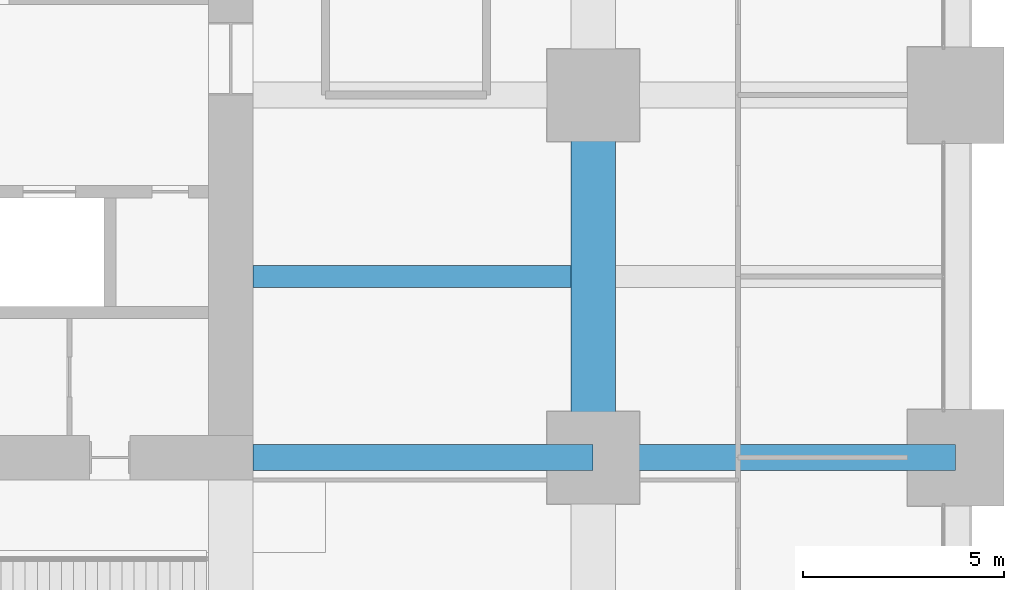
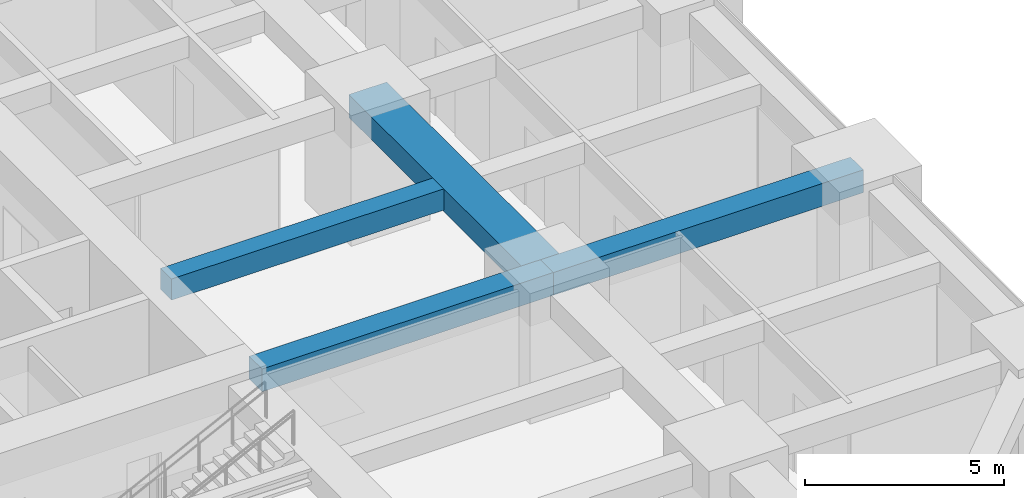
# One storey, part 19 of 45: 4 beams.
"""IFC4 building model written with IfcOpenShell, lengths in metres."""

from ifc_helpers import new_model, si_unit, direction, frame, origin, origin_2d, place, context, subcontext, project, spatial, rectangle, extrude, material, material_profile, profile_set, type_object, element, save


model = new_model("IFC4")

# Units and contexts
model_context = context("Model", 3, precision=1e-05, world=origin(), true_north=direction((0.0, 1.0)))
body_context = subcontext(model_context, "Body", "Model", "MODEL_VIEW")
ifc_project = project(units=[si_unit("LENGTHUNIT", "METRE"), si_unit("AREAUNIT", "SQUARE_METRE"), si_unit("VOLUMEUNIT", "CUBIC_METRE"), si_unit("PLANEANGLEUNIT", "RADIAN"), si_unit("MASSUNIT", "GRAM", prefix="KILO")], contexts=[model_context])

# Site, building, storey
site_placement = place(None, origin())
site = spatial("IfcSite", under=ifc_project, at=site_placement, CompositionType="ELEMENT")
building_placement = place(site_placement, origin())
building = spatial("IfcBuilding", under=site, at=building_placement, Name="Zorevar Civic Tower", CompositionType="ELEMENT")
storey_placement = place(building_placement, frame((0.0, 0.0, 23.800048828125)))
storey = spatial("IfcBuildingStorey", under=building, at=storey_placement, Name="L05", CompositionType="ELEMENT", Elevation=23.800048828125)

# Beams
ifc_material_1 = material(Name="Concrete C50/60", Category="concrete")
ifc_material_profile_1 = material_profile(ifc_material_1, rectangle(XDim=1.10009765625, YDim=0.699951171875, at=origin_2d()), Name="RC 1100x700")
ifc_profile_set_1 = profile_set([ifc_material_profile_1], Name="Concrete C50/60")
beam_type_1 = type_object("IfcBeamType", Name="Beam RC 1100x700", PredefinedType="BEAM", material=ifc_profile_set_1)
beam_1_placement = place(storey_placement, frame((54.0, 18.0, 3.39990234375), z_axis=(0.0, 1.0, 0.0), x_axis=(-1.0, 0.0, 0.0)))
element("IfcBeam", 1, at=beam_1_placement, inside=storey, type_object=beam_type_1, Name="Girder L06", PredefinedType="BEAM", context=body_context, shape_type="SweptSolid", body=[
    extrude(rectangle(XDim=1.10009765625, YDim=0.699951171875, at=origin_2d()), origin(), (0.0, 0.0, 1.0), 9.0),
])
ifc_material_2 = material(Name="Concrete C50/60", Category="concrete")
ifc_material_profile_2 = material_profile(ifc_material_2, rectangle(XDim=0.550048828125, YDim=0.64990234375, at=origin_2d()), Name="RC 550x650")
ifc_profile_set_2 = profile_set([ifc_material_profile_2], Name="Concrete C50/60")
beam_type_2 = type_object("IfcBeamType", Name="Beam RC 550x650", PredefinedType="BEAM", material=ifc_profile_set_2)
beam_2_placement = place(storey_placement, frame((45.550048828125, 22.5, 3.425048828125), z_axis=(1.0, 0.0, 0.0), x_axis=(0.0, 1.0, 0.0)))
element("IfcBeam", 2, at=beam_2_placement, inside=storey, type_object=beam_type_2, Name="Secondary beam L06", PredefinedType="BEAM", context=body_context, shape_type="SweptSolid", body=[
    extrude(rectangle(XDim=0.550048828125, YDim=0.64990234375, at=origin_2d()), origin(), (0.0, 0.0, 1.0), 7.89990234375),
])
ifc_material_3 = material(Name="Concrete C50/60", Category="concrete")
ifc_material_profile_3 = material_profile(ifc_material_3, rectangle(XDim=0.64990234375, YDim=0.699951171875, at=origin_2d()), Name="RC 650x700")
ifc_profile_set_3 = profile_set([ifc_material_profile_3], Name="Concrete C50/60")
beam_type_3 = type_object("IfcBeamType", Name="Beam RC 650x700", PredefinedType="BEAM", material=ifc_profile_set_3)
beam_3_placement = place(storey_placement, frame((45.550048828125, 18.0, 3.39990234375), z_axis=(1.0, 0.0, 0.0), x_axis=(0.0, 1.0, 0.0)))
element("IfcBeam", 3, at=beam_3_placement, inside=storey, type_object=beam_type_3, Name="Girder L06", PredefinedType="BEAM", context=body_context, shape_type="SweptSolid", body=[
    extrude(rectangle(XDim=0.64990234375, YDim=0.699951171875, at=origin_2d()), origin(), (0.0, 0.0, 1.0), 8.449951171875),
])
beam_4_placement = place(storey_placement, frame((54.0, 18.0, 3.39990234375), z_axis=(1.0, 0.0, 0.0), x_axis=(0.0, 1.0, 0.0)))
element("IfcBeam", 4, at=beam_4_placement, inside=storey, type_object=beam_type_3, Name="Girder L06", PredefinedType="BEAM", context=body_context, shape_type="SweptSolid", body=[
    extrude(rectangle(XDim=0.64990234375, YDim=0.699951171875, at=origin_2d()), origin(), (0.0, 0.0, 1.0), 9.0),
])

save(model, "model.ifc")
